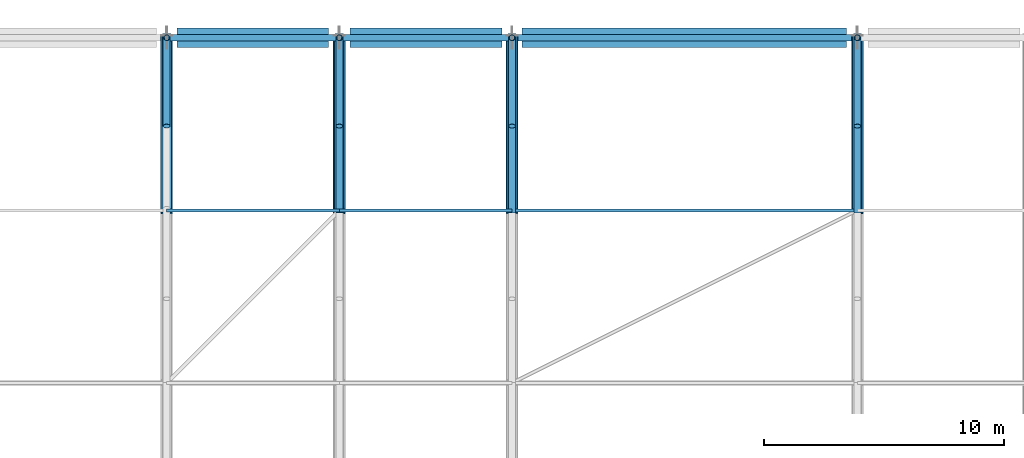
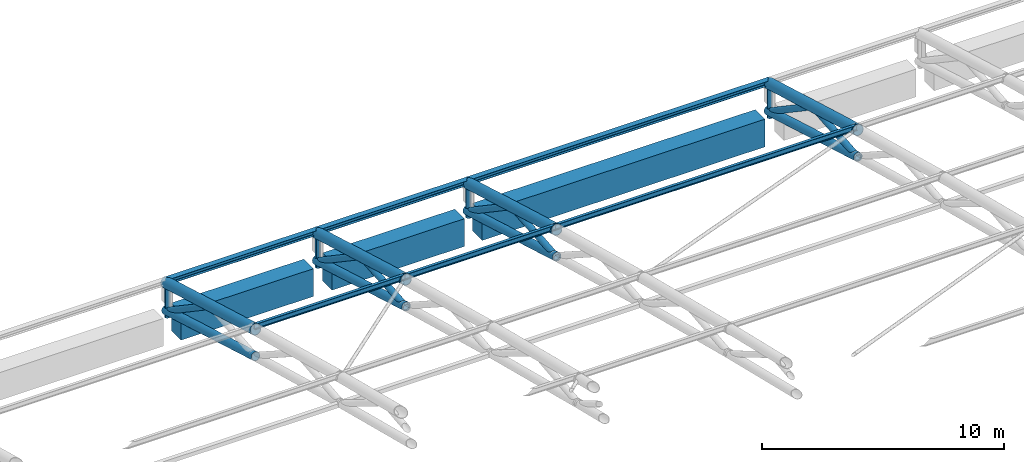
# One storey, part 100 of 193: 25 members, 3 beams.
"""IFC4 building model written with IfcOpenShell, lengths in metres."""

from ifc_helpers import new_model, si_unit, direction, frame, origin, origin_2d, place, context, subcontext, project, spatial, rectangle, hollow_circle, i_section, extrude, material, material_profile, profile_set, type_object, element, save


model = new_model("IFC4")

# Units and contexts
model_context = context("Model", 3, precision=1e-05, world=origin(), true_north=direction((0.0, 1.0)))
body_context = subcontext(model_context, "Body", "Model", "MODEL_VIEW")
ifc_project = project(units=[si_unit("LENGTHUNIT", "METRE"), si_unit("AREAUNIT", "SQUARE_METRE"), si_unit("VOLUMEUNIT", "CUBIC_METRE"), si_unit("PLANEANGLEUNIT", "RADIAN"), si_unit("MASSUNIT", "GRAM", prefix="KILO")], contexts=[model_context])

# Site, building, storey
site_placement = place(None, origin())
site = spatial("IfcSite", under=ifc_project, at=site_placement, CompositionType="ELEMENT")
building_placement = place(site_placement, origin())
building = spatial("IfcBuilding", under=site, at=building_placement, Name="Cendralis Lancet Convention Centre", CompositionType="ELEMENT")
storey_placement = place(building_placement, frame((0.0, 0.0, 10.199951171875)))
storey = spatial("IfcBuildingStorey", under=building, at=storey_placement, Name="L02", CompositionType="ELEMENT", Elevation=10.199951171875)

# Beams
ifc_material_1 = material(Name="Concrete G40 (C40/50)", Category="concrete")
ifc_material_profile_1 = material_profile(ifc_material_1, rectangle(XDim=0.800048828125, YDim=1.39990234375, at=origin_2d()), Name="RCB 800x1400")
ifc_profile_set_1 = profile_set([ifc_material_profile_1], Name="Concrete G40 (C40/50)")
beam_type = type_object("IfcBeamType", Name="STR-BM-BG17", PredefinedType="BEAM", material=ifc_profile_set_1)
for number, where, z_axis, x_axis, name in (
    (1, (65.22509765625, 136.800048828125, 1.5), (1.0, 0.0, 0.0), (0.0, 1.0, 0.0), "L02 Beam BG17 #1330"),
    (2, (72.449951171875, 136.800048828125, 1.5), (1.0, 0.0, 0.0), (0.0, 1.0, 0.0), "L02 Beam BG17 #1331"),
):
    element("IfcBeam", number, at=place(storey_placement, frame(where, z_axis=z_axis, x_axis=x_axis)), inside=storey, type_object=beam_type, Name=name, PredefinedType="BEAM", context=body_context, shape_type="SweptSolid", body=[
        extrude(rectangle(XDim=0.800048828125, YDim=1.39990234375, at=origin_2d()), origin(), (0.0, 0.0, 1.0), 6.324951171875),
    ])
beam_placement = place(storey_placement, frame((79.625, 136.800048828125, 1.5), z_axis=(1.0, 0.0, 0.0), x_axis=(0.0, 1.0, 0.0)))
element("IfcBeam", 3, at=beam_placement, inside=storey, type_object=beam_type, Name="L02 Beam BG17 #1332", PredefinedType="BEAM", context=body_context, shape_type="SweptSolid", body=[
    extrude(rectangle(XDim=0.800048828125, YDim=1.39990234375, at=origin_2d()), origin(), (0.0, 0.0, 1.0), 13.52490234375),
])

# Members
ifc_material_2 = material(Name="Steel S355", Category="steel")
ifc_material_profile_2 = material_profile(ifc_material_2, i_section(OverallWidth=0.135009765625, OverallDepth=0.27001953125, WebThickness=0.006591796875, FlangeThickness=0.01025390625, FilletRadius=0.014892578125, at=origin_2d()), Name="IPE 270")
ifc_profile_set_2 = profile_set([ifc_material_profile_2], Name="Steel S355")
member_type_1 = type_object("IfcMemberType", Name="STR-PR-PR01", PredefinedType="PURLIN", material=ifc_profile_set_2)
for number, where, z_axis, x_axis, name in (
    (4, (64.800048828125, 129.60009765625, 5.771728515625), (1.0, 0.0, 0.0), (0.0, 1.0, 0.0), "Vault Roof Purlin PR01 V1-07-11"),
    (5, (72.0, 129.60009765625, 5.771728515625), (1.0, 0.0, 0.0), (0.0, 1.0, 0.0), "Vault Roof Purlin PR01 V1-08-11"),
):
    element("IfcMember", number, at=place(storey_placement, frame(where, z_axis=z_axis, x_axis=x_axis)), inside=storey, type_object=member_type_1, Name=name, PredefinedType="PURLIN", context=body_context, shape_type="SweptSolid", body=[
        extrude(i_section(OverallWidth=0.135009765625, OverallDepth=0.27001953125, WebThickness=0.006591796875, FlangeThickness=0.01025390625, FilletRadius=0.014892578125, at=origin_2d()), origin(), (0.0, 0.0, 1.0), 7.199951171875),
    ])
member_1_placement = place(storey_placement, frame((79.199951171875, 129.60009765625, 5.771728515625), z_axis=(1.0, 0.0, 0.0), x_axis=(0.0, 1.0, 0.0)))
element("IfcMember", 6, at=member_1_placement, inside=storey, type_object=member_type_1, Name="Vault Roof Purlin PR01 V1-09-11", PredefinedType="PURLIN", context=body_context, shape_type="SweptSolid", body=[
    extrude(i_section(OverallWidth=0.135009765625, OverallDepth=0.27001953125, WebThickness=0.006591796875, FlangeThickness=0.01025390625, FilletRadius=0.014892578125, at=origin_2d()), origin(), (0.0, 0.0, 1.0), 14.400146484375),
])
ifc_material_profile_3 = material_profile(ifc_material_2, i_section(OverallWidth=0.260009765625, OverallDepth=0.25, WebThickness=0.007568359375, FlangeThickness=0.012451171875, FilletRadius=0.02392578125, at=origin_2d()), Name="HEA 260")
ifc_profile_set_3 = profile_set([ifc_material_profile_3], Name="Steel S355")
member_type_2 = type_object("IfcMemberType", Name="STR-PR-PR07", PredefinedType="PURLIN", material=ifc_profile_set_3)
for number, where, z_axis, x_axis, name in (
    (7, (64.800048828125, 136.800048828125, 3.72509765625), (1.0, 0.0, 0.0), (0.0, 1.0, 0.0), "Vault Roof Purlin PR07 V1-07-12"),
    (8, (72.0, 136.800048828125, 3.72509765625), (1.0, 0.0, 0.0), (0.0, 1.0, 0.0), "Vault Roof Purlin PR07 V1-08-12"),
):
    element("IfcMember", number, at=place(storey_placement, frame(where, z_axis=z_axis, x_axis=x_axis)), inside=storey, type_object=member_type_2, Name=name, PredefinedType="PURLIN", context=body_context, shape_type="SweptSolid", body=[
        extrude(i_section(OverallWidth=0.260009765625, OverallDepth=0.25, WebThickness=0.007568359375, FlangeThickness=0.012451171875, FilletRadius=0.02392578125, at=origin_2d()), origin(), (0.0, 0.0, 1.0), 7.199951171875),
    ])
member_2_placement = place(storey_placement, frame((79.199951171875, 136.800048828125, 3.72509765625), z_axis=(1.0, 0.0, 0.0), x_axis=(0.0, 1.0, 0.0)))
element("IfcMember", 9, at=member_2_placement, inside=storey, type_object=member_type_2, Name="Vault Roof Purlin PR07 V1-09-12", PredefinedType="PURLIN", context=body_context, shape_type="SweptSolid", body=[
    extrude(i_section(OverallWidth=0.260009765625, OverallDepth=0.25, WebThickness=0.007568359375, FlangeThickness=0.012451171875, FilletRadius=0.02392578125, at=origin_2d()), origin(), (0.0, 0.0, 1.0), 14.400146484375),
])
ifc_material_profile_4 = material_profile(ifc_material_2, hollow_circle(Radius=0.203125, WallThickness=0.01611328125, at=origin_2d()), Name="CHS 406.4x16.0")
ifc_profile_set_4 = profile_set([ifc_material_profile_4], Name="Steel S355")
member_type_3 = type_object("IfcMemberType", Name="STR-TR-BC01-INT", PredefinedType="CHORD", material=ifc_profile_set_4)
for number, where, z_axis, x_axis, name in (
    (10, (64.800048828125, 129.48486328125, 4.32763671875), (0.0, 0.960210680483, -0.279276653315), (-1.0, 0.0, 0.0), "ROOF TRUSS AT-V1-08 Bottom Chord 11"),
    (11, (72.0, 129.48486328125, 4.32763671875), (0.0, 0.960210680483, -0.279276653315), (-1.0, 0.0, 0.0), "ROOF TRUSS AT-V1-09 Bottom Chord 11"),
    (12, (79.199951171875, 129.48486328125, 4.32763671875), (0.0, 0.960210680483, -0.279276653315), (-1.0, 0.0, 0.0), "ROOF TRUSS AT-V1-10 Bottom Chord 11"),
    (13, (93.60009765625, 129.48486328125, 4.32763671875), (0.0, 0.960210680483, -0.279276653315), (-1.0, 0.0, 0.0), "ROOF TRUSS AT-V1-11 Bottom Chord 11"),
):
    element("IfcMember", number, at=place(storey_placement, frame(where, z_axis=z_axis, x_axis=x_axis)), inside=storey, type_object=member_type_3, Name=name, PredefinedType="CHORD", context=body_context, shape_type="SweptSolid", body=[
        extrude(hollow_circle(Radius=0.203125, WallThickness=0.01611328125, at=origin_2d()), origin(), (0.0, 0.0, 1.0), 7.73828125),
    ])
ifc_material_profile_5 = material_profile(ifc_material_2, hollow_circle(Radius=0.25390625, WallThickness=0.02001953125, at=origin_2d()), Name="CHS 508.0x20.0")
ifc_profile_set_5 = profile_set([ifc_material_profile_5], Name="Steel S355")
member_type_4 = type_object("IfcMemberType", Name="STR-TR-TC01-INT", PredefinedType="CHORD", material=ifc_profile_set_5)
for number, where, z_axis, x_axis, name in (
    (14, (64.800048828125, 129.484619140625, 5.689697265625), (0.0, 0.961540636093, -0.274662711598), (-1.0, 0.0, 0.0), "ROOF TRUSS AT-V1-08 Top Chord 11"),
    (15, (72.0, 129.484619140625, 5.689697265625), (0.0, 0.961540636093, -0.274662711598), (-1.0, 0.0, 0.0), "ROOF TRUSS AT-V1-09 Top Chord 11"),
    (16, (79.199951171875, 129.484619140625, 5.689697265625), (0.0, 0.961540636093, -0.274662711598), (-1.0, 0.0, 0.0), "ROOF TRUSS AT-V1-10 Top Chord 11"),
    (17, (93.60009765625, 129.484619140625, 5.689697265625), (0.0, 0.961540636093, -0.274662711598), (-1.0, 0.0, 0.0), "ROOF TRUSS AT-V1-11 Top Chord 11"),
):
    element("IfcMember", number, at=place(storey_placement, frame(where, z_axis=z_axis, x_axis=x_axis)), inside=storey, type_object=member_type_4, Name=name, PredefinedType="CHORD", context=body_context, shape_type="SweptSolid", body=[
        extrude(hollow_circle(Radius=0.25390625, WallThickness=0.02001953125, at=origin_2d()), origin(), (0.0, 0.0, 1.0), 7.727783203125),
    ])
ifc_material_profile_6 = material_profile(ifc_material_2, hollow_circle(Radius=0.149169921875, WallThickness=0.012451171875, at=origin_2d()), Name="CHS 298.5x12.5")
ifc_profile_set_6 = profile_set([ifc_material_profile_6], Name="Steel S355")
member_type_5 = type_object("IfcMemberType", Name="STR-TR-WD01-INT", PredefinedType="BRACE", material=ifc_profile_set_6)
member_3_placement = place(storey_placement, frame((64.800048828125, 133.1171875, 4.684326171875), z_axis=(0.0, 0.82900316973, -0.559243904372), x_axis=(-1.0, 0.0, 0.0)))
element("IfcMember", 18, at=member_3_placement, inside=storey, type_object=member_type_5, Name="ROOF TRUSS AT-V1-08 Warren Web 11-1", PredefinedType="BRACE", context=body_context, shape_type="SweptSolid", body=[
    extrude(hollow_circle(Radius=0.149169921875, WallThickness=0.012451171875, at=origin_2d()), origin(), (0.0, 0.0, 1.0), 4.542236328125),
])
member_4_placement = place(storey_placement, frame((72.0, 129.50048828125, 4.284912109375), z_axis=(0.0, 0.995716162115, 0.092462557307), x_axis=(-1.0, 0.0, 0.0)))
element("IfcMember", 19, at=member_4_placement, inside=storey, type_object=member_type_5, Name="ROOF TRUSS AT-V1-09 Warren Web 11-0", PredefinedType="BRACE", context=body_context, shape_type="SweptSolid", body=[
    extrude(hollow_circle(Radius=0.149169921875, WallThickness=0.012451171875, at=origin_2d()), origin(), (0.0, 0.0, 1.0), 3.8154296875),
])
member_5_placement = place(storey_placement, frame((72.0, 133.1171875, 4.684326171875), z_axis=(0.0, 0.82900316973, -0.559243904372), x_axis=(-1.0, 0.0, 0.0)))
element("IfcMember", 20, at=member_5_placement, inside=storey, type_object=member_type_5, Name="ROOF TRUSS AT-V1-09 Warren Web 11-1", PredefinedType="BRACE", context=body_context, shape_type="SweptSolid", body=[
    extrude(hollow_circle(Radius=0.149169921875, WallThickness=0.012451171875, at=origin_2d()), origin(), (0.0, 0.0, 1.0), 4.542236328125),
])
member_6_placement = place(storey_placement, frame((79.199951171875, 129.50048828125, 4.284912109375), z_axis=(0.0, 0.995716162115, 0.092462557307), x_axis=(-1.0, 0.0, 0.0)))
element("IfcMember", 21, at=member_6_placement, inside=storey, type_object=member_type_5, Name="ROOF TRUSS AT-V1-10 Warren Web 11-0", PredefinedType="BRACE", context=body_context, shape_type="SweptSolid", body=[
    extrude(hollow_circle(Radius=0.149169921875, WallThickness=0.012451171875, at=origin_2d()), origin(), (0.0, 0.0, 1.0), 3.8154296875),
])
member_7_placement = place(storey_placement, frame((79.199951171875, 133.1171875, 4.684326171875), z_axis=(0.0, 0.82900316973, -0.559243904372), x_axis=(-1.0, 0.0, 0.0)))
element("IfcMember", 22, at=member_7_placement, inside=storey, type_object=member_type_5, Name="ROOF TRUSS AT-V1-10 Warren Web 11-1", PredefinedType="BRACE", context=body_context, shape_type="SweptSolid", body=[
    extrude(hollow_circle(Radius=0.149169921875, WallThickness=0.012451171875, at=origin_2d()), origin(), (0.0, 0.0, 1.0), 4.542236328125),
])
member_8_placement = place(storey_placement, frame((93.60009765625, 129.50048828125, 4.284912109375), z_axis=(0.0, 0.995716162115, 0.092462557307), x_axis=(-1.0, 0.0, 0.0)))
element("IfcMember", 23, at=member_8_placement, inside=storey, type_object=member_type_5, Name="ROOF TRUSS AT-V1-11 Warren Web 11-0", PredefinedType="BRACE", context=body_context, shape_type="SweptSolid", body=[
    extrude(hollow_circle(Radius=0.149169921875, WallThickness=0.012451171875, at=origin_2d()), origin(), (0.0, 0.0, 1.0), 3.8154296875),
])
member_9_placement = place(storey_placement, frame((93.60009765625, 133.1171875, 4.684326171875), z_axis=(0.0, 0.82900316973, -0.559243904372), x_axis=(-1.0, 0.0, 0.0)))
element("IfcMember", 24, at=member_9_placement, inside=storey, type_object=member_type_5, Name="ROOF TRUSS AT-V1-11 Warren Web 11-1", PredefinedType="BRACE", context=body_context, shape_type="SweptSolid", body=[
    extrude(hollow_circle(Radius=0.149169921875, WallThickness=0.012451171875, at=origin_2d()), origin(), (0.0, 0.0, 1.0), 4.542236328125),
])
ifc_material_profile_7 = material_profile(ifc_material_2, hollow_circle(Radius=0.122314453125, WallThickness=0.010009765625, at=origin_2d()), Name="CHS 244.5x10.0")
ifc_profile_set_7 = profile_set([ifc_material_profile_7], Name="Steel S355")
member_type_6 = type_object("IfcMemberType", Name="STR-TR-WV01-INT", PredefinedType="POST", material=ifc_profile_set_7)
for number, where, z_axis, x_axis, name in (
    (25, (64.800048828125, 136.800048828125, 1.900146484375), (0.0, 0.0, 1.0), (1.0, 0.0, 0.0), "ROOF TRUSS AT-V1-08 Springing Post N12"),
    (26, (72.0, 136.800048828125, 1.900146484375), (0.0, 0.0, 1.0), (1.0, 0.0, 0.0), "ROOF TRUSS AT-V1-09 Springing Post N12"),
    (27, (79.199951171875, 136.800048828125, 1.900146484375), (0.0, 0.0, 1.0), (1.0, 0.0, 0.0), "ROOF TRUSS AT-V1-10 Springing Post N12"),
    (28, (93.60009765625, 136.800048828125, 1.900146484375), (0.0, 0.0, 1.0), (1.0, 0.0, 0.0), "ROOF TRUSS AT-V1-11 Springing Post N12"),
):
    element("IfcMember", number, at=place(storey_placement, frame(where, z_axis=z_axis, x_axis=x_axis)), inside=storey, type_object=member_type_6, Name=name, PredefinedType="POST", context=body_context, shape_type="SweptSolid", body=[
        extrude(hollow_circle(Radius=0.122314453125, WallThickness=0.010009765625, at=origin_2d()), origin(), (0.0, 0.0, 1.0), 1.919921875),
    ])

save(model, "model.ifc")
